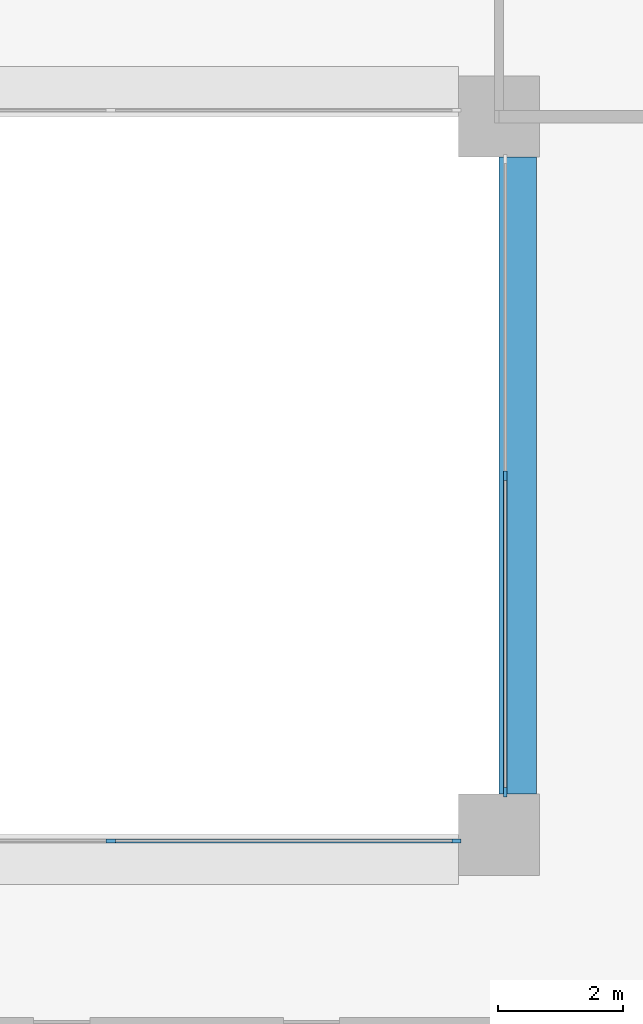
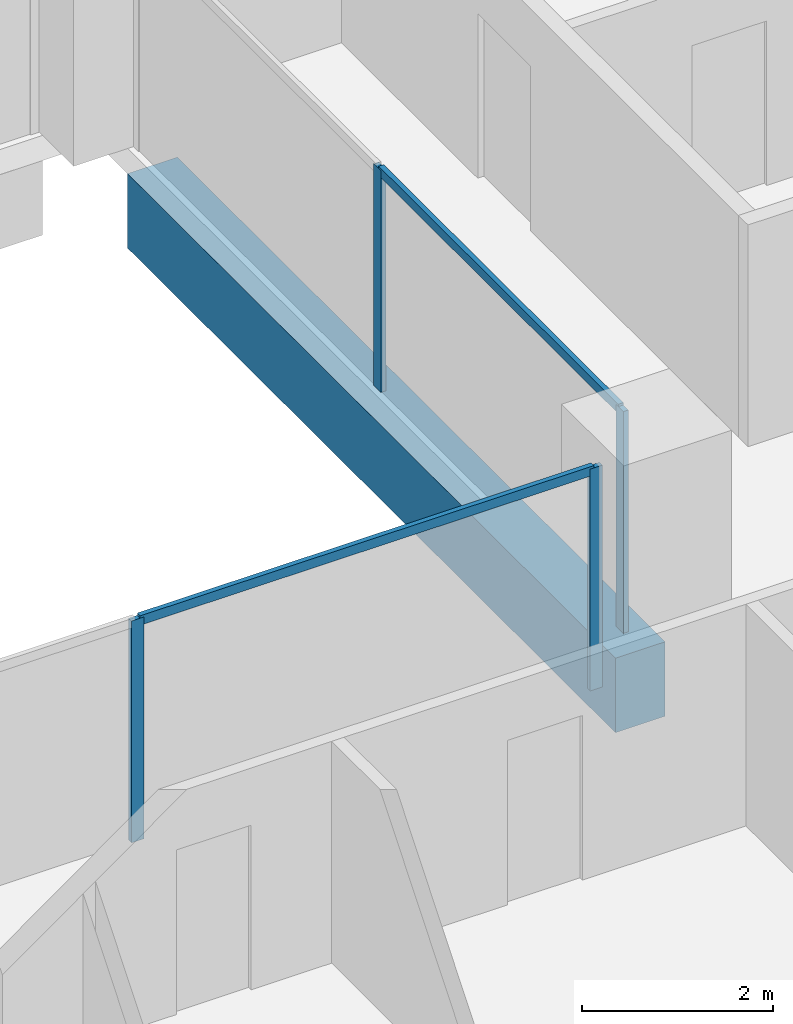
# One storey, part 4 of 16: 6 members, 1 beam, 2 elements without a shape of their own.
"""IFC4 building model written with IfcOpenShell, lengths in metres."""

from ifc_helpers import new_model, si_unit, direction, frame, origin, origin_2d, place, context, subcontext, project, spatial, rectangle, extrude, material, layer, layer_set, material_profile, profile_set, type_object, element, aggregate, save


model = new_model("IFC4")

# Units and contexts
model_context = context("Model", 3, precision=1e-05, world=origin(), true_north=direction((0.0, 1.0)))
body_context = subcontext(model_context, "Body", "Model", "MODEL_VIEW")
ifc_project = project(units=[si_unit("LENGTHUNIT", "METRE"), si_unit("AREAUNIT", "SQUARE_METRE"), si_unit("VOLUMEUNIT", "CUBIC_METRE"), si_unit("PLANEANGLEUNIT", "RADIAN"), si_unit("MASSUNIT", "GRAM", prefix="KILO")], contexts=[model_context])

# Site, building, storey
site_placement = place(None, origin())
site = spatial("IfcSite", under=ifc_project, at=site_placement, CompositionType="ELEMENT")
building_placement = place(site_placement, origin())
building = spatial("IfcBuilding", under=site, at=building_placement, Name="Brigalow Station Residences", CompositionType="ELEMENT")
storey_placement = place(building_placement, frame((0.0, 0.0, 105.60009765625)))
storey = spatial("IfcBuildingStorey", under=building, at=storey_placement, Name="L30", CompositionType="ELEMENT", Elevation=105.60009765625)

# Beam
ifc_material_1 = material(Name="Concrete C65", Category="concrete")
ifc_material_profile_1 = material_profile(ifc_material_1, rectangle(XDim=0.60009765625, YDim=0.949951171875, at=origin_2d()), Name="RC600x950")
ifc_profile_set_1 = profile_set([ifc_material_profile_1], Name="Concrete C65")
beam_type = type_object("IfcBeamType", Name="ATRIUM EDGE GIRDER 600x950 C65", PredefinedType="BEAM", material=ifc_profile_set_1)
beam_placement = place(storey_placement, frame((45.300048828125, 24.64990234375, -0.795166015625), z_axis=(0.0, 1.0, 0.0), x_axis=(-1.0, 0.0, 0.0)))
element("IfcBeam", 1, at=beam_placement, inside=storey, type_object=beam_type, Name="ATRIUM EDGE GIRDER 5 L30", PredefinedType="BEAM", context=body_context, shape_type="SweptSolid", body=[
    extrude(rectangle(XDim=0.60009765625, YDim=0.949951171875, at=origin_2d()), origin(), (0.0, 0.0, 1.0), 10.2001953125),
])

# Curtain wall, members
ifc_material_2 = material(Name="Aluminium", Category="aluminium")
ifc_layer = layer(ifc_material_2, 0.14990234375)
ifc_layer_set = layer_set([ifc_layer], Name="ATRIUM FIRE-RATED GLAZING CURTAIN WALL")
curtain_wall_type = type_object("IfcCurtainWallType", Name="ATRIUM FIRE-RATED GLAZING CURTAIN WALL", PredefinedType="NOTDEFINED", material=ifc_layer_set)
curtain_wall_1_placement = place(storey_placement, origin())
curtain_wall_1 = element("IfcCurtainWall", 2, at=curtain_wall_1_placement, inside=storey, type_object=curtain_wall_type, Name="L30/cw/atrium-S", PredefinedType="NOTDEFINED")
ifc_material_3 = material(Name="Aluminium", Category="aluminium")
ifc_material_profile_2 = material_profile(ifc_material_3, rectangle(XDim=0.06005859375, YDim=0.14990234375, at=origin_2d()), Name="ATRIUM FIRE-RATED GLAZING MULLION 60x150")
ifc_profile_set_2 = profile_set([ifc_material_profile_2], Name="Aluminium")
member_type_1 = type_object("IfcMemberType", Name="ATRIUM FIRE-RATED GLAZING MULLION 60x150", PredefinedType="MULLION", material=ifc_profile_set_2)
member_1_placement = place(storey_placement, frame((38.783203125, 23.89990234375, 0.0), z_axis=(0.0, 0.0, 1.0), x_axis=(0.0, 1.0, 0.0)))
member_1 = element("IfcMember", 3, at=member_1_placement, type_object=member_type_1, Name="L30/cw/atrium-S/M02", PredefinedType="MULLION", context=body_context, shape_type="SweptSolid", body=[
    extrude(rectangle(XDim=0.06005859375, YDim=0.14990234375, at=origin_2d()), origin(), (0.0, 0.0, 1.0), 2.829833984375),
])
member_2_placement = place(storey_placement, frame((44.320068359375, 23.89990234375, 0.0), z_axis=(0.0, 0.0, 1.0), x_axis=(0.0, 1.0, 0.0)))
member_2 = element("IfcMember", 4, at=member_2_placement, type_object=member_type_1, Name="L30/cw/atrium-S/M03", PredefinedType="MULLION", context=body_context, shape_type="SweptSolid", body=[
    extrude(rectangle(XDim=0.06005859375, YDim=0.14990234375, at=origin_2d()), origin(), (0.0, 0.0, 1.0), 2.829833984375),
])

curtain_wall_2_placement = place(storey_placement, origin())
curtain_wall_2 = element("IfcCurtainWall", 5, at=curtain_wall_2_placement, inside=storey, type_object=curtain_wall_type, Name="L30/cw/atrium-E", PredefinedType="NOTDEFINED")
member_3_placement = place(storey_placement, frame((45.10009765625, 24.679931640625, 0.0), z_axis=(0.0, 0.0, 1.0), x_axis=(-1.0, 0.0, 0.0)))
member_3 = element("IfcMember", 6, at=member_3_placement, type_object=member_type_1, Name="L30/cw/atrium-E/M00", PredefinedType="MULLION", context=body_context, shape_type="SweptSolid", body=[
    extrude(rectangle(XDim=0.06005859375, YDim=0.14990234375, at=origin_2d()), origin(), (0.0, 0.0, 1.0), 2.829833984375),
])
member_4_placement = place(storey_placement, frame((45.10009765625, 29.75, 0.0), z_axis=(0.0, 0.0, 1.0), x_axis=(-1.0, 0.0, 0.0)))
member_4 = element("IfcMember", 7, at=member_4_placement, type_object=member_type_1, Name="L30/cw/atrium-E/M01", PredefinedType="MULLION", context=body_context, shape_type="SweptSolid", body=[
    extrude(rectangle(XDim=0.06005859375, YDim=0.14990234375, at=origin_2d()), origin(), (0.0, 0.0, 1.0), 2.829833984375),
])

# Member
ifc_material_4 = material(Name="Aluminium", Category="aluminium")
ifc_material_profile_3 = material_profile(ifc_material_4, rectangle(XDim=0.06005859375, YDim=0.1201171875, at=origin_2d()), Name="ATRIUM FIRE-RATED GLAZING TRANSOM 60x120")
ifc_profile_set_3 = profile_set([ifc_material_profile_3], Name="Aluminium")
member_type_2 = type_object("IfcMemberType", Name="ATRIUM FIRE-RATED GLAZING TRANSOM 60x120", PredefinedType="USERDEFINED", material=ifc_profile_set_3)
member_5_placement = place(storey_placement, frame((38.813232421875, 23.89990234375, 2.7998046875), z_axis=(1.0, 0.0, 0.0), x_axis=(0.0, 1.0, 0.0)))
member_5 = element("IfcMember", 8, at=member_5_placement, type_object=member_type_2, Name="L30/cw/atrium-S/T02-00", ObjectType="TRANSOM", PredefinedType="USERDEFINED", context=body_context, shape_type="SweptSolid", body=[
    extrude(rectangle(XDim=0.06005859375, YDim=0.1201171875, at=origin_2d()), origin(), (0.0, 0.0, 1.0), 5.476806640625),
])

aggregate(curtain_wall_1, [member_1, member_2, member_5])

member_6_placement = place(storey_placement, frame((45.10009765625, 24.7099609375, 2.7998046875), z_axis=(0.0, 1.0, 0.0), x_axis=(-1.0, 0.0, 0.0)))
member_6 = element("IfcMember", 9, at=member_6_placement, type_object=member_type_2, Name="L30/cw/atrium-E/T00-00", ObjectType="TRANSOM", PredefinedType="USERDEFINED", context=body_context, shape_type="SweptSolid", body=[
    extrude(rectangle(XDim=0.06005859375, YDim=0.1201171875, at=origin_2d()), origin(), (0.0, 0.0, 1.0), 5.010009765625),
])

aggregate(curtain_wall_2, [member_3, member_4, member_6])

save(model, "model.ifc")
